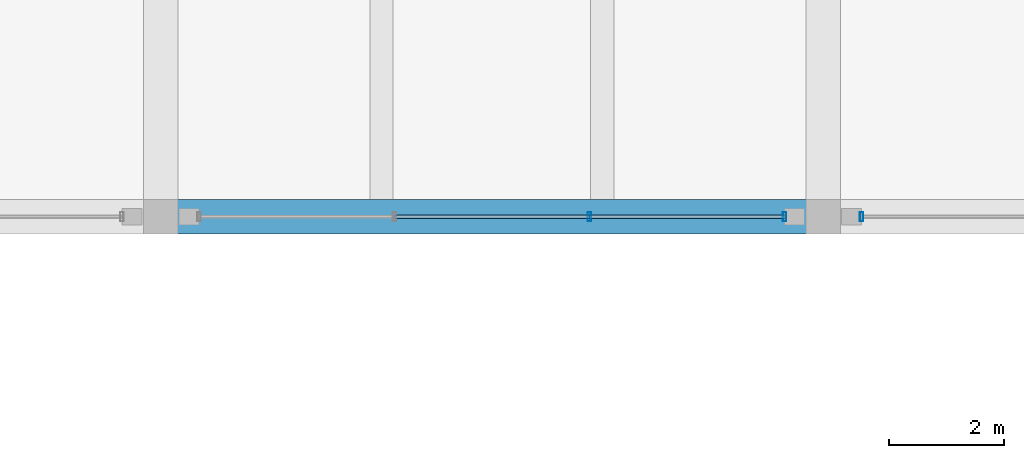
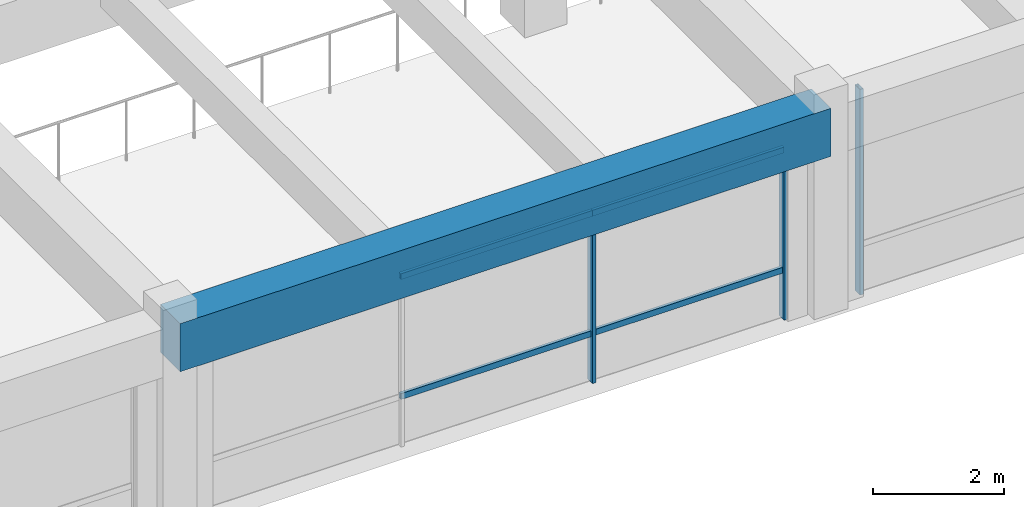
# One storey, part 11 of 98: 7 members, 1 beam, 2 elements without a shape of their own.
"""IFC4 building model written with IfcOpenShell, lengths in metres."""

import ifcopenshell
import ifcopenshell.guid

model = None  # the IFC model being written
_history = None  # IfcOwnerHistory: only IFC2X3 demands one
_inside = {}  # id of a spatial element -> (the spatial element, [elements in it])
_under = {}  # id of a project, library or spatial element -> (it, [spatial elements below it])
_declared = {}  # id of a project -> (the project, [libraries it declares])
_typed = {}  # id of a type object -> (the type object, [elements of that type])
_made_of = {}  # id of a material, layer set ... -> (it, [elements and type objects made of it])


def new_model(schema):
    """Start an empty IFC model of exactly this schema.

    Asked for "IFC4X3", IfcOpenShell would pick the latest addendum, in which some entities
    have other attributes; the version numbers below select the first issue.
    IFC2X3 requires an IfcOwnerHistory on every rooted entity: one is made here for all.
    """
    global model, _history
    if schema == "IFC4X3":
        model = ifcopenshell.file(schema_version=(4, 3, 0, 0))
    else:
        model = ifcopenshell.file(schema=schema)
    _inside.clear()
    _under.clear()
    _declared.clear()
    _typed.clear()
    _made_of.clear()
    _history = None
    if model.schema == "IFC2X3":
        org = make("IfcOrganization", Name="unknown")
        user = make(
            "IfcPersonAndOrganization",
            ThePerson=make("IfcPerson", FamilyName="unknown"),
            TheOrganization=org,
        )
        app = make(
            "IfcApplication",
            ApplicationDeveloper=org,
            Version="unknown",
            ApplicationFullName="unknown",
            ApplicationIdentifier="unknown",
        )
        _history = make(
            "IfcOwnerHistory",
            OwningUser=user,
            OwningApplication=app,
            ChangeAction="ADDED",
            CreationDate=0,
        )
    return model


def make(cls, **values):
    """One entity of the class cls with the attributes given. An attribute that is None is left unset."""
    return model.create_entity(
        cls, **{name: value for name, value in values.items() if value is not None}
    )


def rooted(cls, **values):
    """An entity with a GlobalId (a new one), such as an element, a storey or a relation."""
    return make(cls, GlobalId=ifcopenshell.guid.new(), OwnerHistory=_history, **values)


def si_unit(unit_type, name, prefix=None):
    """IfcSIUnit, for example si_unit("LENGTHUNIT", "METRE", prefix="MILLI")."""
    return make("IfcSIUnit", UnitType=unit_type, Prefix=prefix, Name=name)


def assignment(units):
    """IfcUnitAssignment: the units of a project."""
    return None if units is None else make("IfcUnitAssignment", Units=units)


def point(xyz):
    """IfcCartesianPoint."""
    return None if xyz is None else make("IfcCartesianPoint", Coordinates=xyz)


def direction(xyz):
    """IfcDirection."""
    return None if xyz is None else make("IfcDirection", DirectionRatios=xyz)


def frame(location, z_axis=None, x_axis=None):
    """IfcAxis2Placement3D, a coordinate frame: its origin and axes. An axis left out is left unset."""
    return make(
        "IfcAxis2Placement3D",
        Location=point(location),
        Axis=direction(z_axis),
        RefDirection=direction(x_axis),
    )


def frame_2d(location, x_axis=None):
    """IfcAxis2Placement2D, a coordinate frame in the plane: its origin and x axis."""
    return make(
        "IfcAxis2Placement2D", Location=point(location), RefDirection=direction(x_axis)
    )


def origin():
    """The frame at (0, 0, 0) with its axes left unset."""
    return frame((0.0, 0.0, 0.0))


def origin_2d():
    """The frame at (0, 0) in the plane with its x axis left unset."""
    return frame_2d((0.0, 0.0))


def place(relative_to, where):
    """IfcLocalPlacement: puts the frame where relative to a parent placement (None: the world)."""
    return make(
        "IfcLocalPlacement", PlacementRelTo=relative_to, RelativePlacement=where
    )


def context(
    kind, dimensions, precision=None, world=None, true_north=None, identifier=None
):
    """IfcGeometricRepresentationContext, for example the 3D "Model" context."""
    return make(
        "IfcGeometricRepresentationContext",
        ContextIdentifier=identifier,
        ContextType=kind,
        CoordinateSpaceDimension=dimensions,
        Precision=precision,
        WorldCoordinateSystem=world,
        TrueNorth=true_north,
    )


def subcontext(parent, identifier, kind, view, scale=None):
    """IfcGeometricRepresentationSubContext, for example "Body" below "Model"."""
    return make(
        "IfcGeometricRepresentationSubContext",
        ContextIdentifier=identifier,
        ContextType=kind,
        ParentContext=parent,
        TargetScale=scale,
        TargetView=view,
    )


def project(units=None, contexts=None):
    """IfcProject with its units and contexts."""
    return rooted(
        "IfcProject",
        Name="project",
        RepresentationContexts=contexts,
        UnitsInContext=assignment(units),
    )


def spatial(cls, under=None, at=None, **own):
    """A site, building, storey or space (cls), placed at a placement, below another one or the project."""
    s = rooted(cls, ObjectPlacement=at, **own)
    if under is not None:
        _under.setdefault(under.id(), (under, []))[1].append(s)
    return s


def profile(cls, at=None, kind="AREA", **sizes):
    """A parametric profile (cls). Its sizes go by their IFC names, for example OverallWidth=200.0."""
    return make(cls, ProfileType=kind, Position=at, **sizes)


def rectangle(**sizes):
    """IfcRectangleProfileDef."""
    return profile("IfcRectangleProfileDef", **sizes)


def hollow_rectangle(**sizes):
    """IfcRectangleHollowProfileDef."""
    return profile("IfcRectangleHollowProfileDef", **sizes)


def extrude(swept, where, along, depth):
    """IfcExtrudedAreaSolid: the profile swept, set in the frame where, extruded along a direction by depth."""
    return make(
        "IfcExtrudedAreaSolid",
        SweptArea=swept,
        Position=where,
        ExtrudedDirection=direction(along),
        Depth=depth,
    )


def shape(context_of_items, identifier, shape_type, items):
    """IfcShapeRepresentation: the items that make up one representation, for example the "Body"."""
    return make(
        "IfcShapeRepresentation",
        ContextOfItems=context_of_items,
        RepresentationIdentifier=identifier,
        RepresentationType=shape_type,
        Items=items,
    )


def material(Name=None, Category=None):
    """IfcMaterial."""
    return make("IfcMaterial", Name=Name, Category=Category)


def material_profile(
    of_material, cross_section, Name=None, Category=None, Priority=None
):
    """IfcMaterialProfile: a cross section and its material."""
    return make(
        "IfcMaterialProfile",
        Name=Name,
        Material=of_material,
        Profile=cross_section,
        Priority=Priority,
        Category=Category,
    )


def profile_set(profiles, Name=None, composite=None):
    """IfcMaterialProfileSet."""
    return make(
        "IfcMaterialProfileSet",
        Name=Name,
        MaterialProfiles=profiles,
        CompositeProfile=composite,
    )


def made_of(thing, what):
    """Note that an element or type object is made of a material, layer set ...; save() writes the relation."""
    if what is not None:
        _made_of.setdefault(what.id(), (what, []))[1].append(thing)
    return thing


def type_object(cls, material=None, **own):
    """A type object (cls), such as IfcWallType, which elements share."""
    return made_of(rooted(cls, **own), material)


def element(
    cls,
    number,
    at=None,
    inside=None,
    cuts=None,
    type_object=None,
    material=None,
    context=None,
    identifier="Body",
    shape_type=None,
    held_by="IfcProductDefinitionShape",
    body=None,
    shapes=None,
    **own,
):
    """One element of the class cls, such as IfcWall. Its Tag is "e" and its number.

    at: its placement. inside: the storey or other place that contains it. cuts: it is an
    opening in that element (IfcRelVoidsElement). A single representation is given by context,
    identifier, shape_type and body (its items); several are given by shapes. held_by: the class
    of the entity that holds the representations. save() writes the other relations.
    """
    e = rooted(cls, Tag="e%d" % number, ObjectPlacement=at, **own)
    if body is not None:
        shapes = [shape(context, identifier, shape_type, body)]
    if shapes is not None:
        e.Representation = make(held_by, Representations=shapes)
    if inside is not None:
        _inside.setdefault(inside.id(), (inside, []))[1].append(e)
    if cuts is not None:
        rooted(
            "IfcRelVoidsElement", RelatingBuildingElement=cuts, RelatedOpeningElement=e
        )
    if type_object is not None:
        _typed.setdefault(type_object.id(), (type_object, []))[1].append(e)
    return made_of(e, material)


def aggregate(whole, parts):
    """IfcRelAggregates: a whole, such as a stair, and the parts it consists of."""
    return rooted("IfcRelAggregates", RelatingObject=whole, RelatedObjects=parts)


def save(model, path):
    """Write the relations noted so far, then the file.

    IfcRelAggregates (storeys below a building ...), IfcRelContainedInSpatialStructure (elements
    in a storey), IfcRelDefinesByType, IfcRelAssociatesMaterial and IfcRelDeclares: one each for
    every whole, place, type object, material and project.
    """
    for whole, parts in _under.values():
        aggregate(whole, parts)
    for where, things in _inside.values():
        rooted(
            "IfcRelContainedInSpatialStructure",
            RelatedElements=things,
            RelatingStructure=where,
        )
    for kind, things in _typed.values():
        rooted("IfcRelDefinesByType", RelatedObjects=things, RelatingType=kind)
    for what, things in _made_of.values():
        rooted("IfcRelAssociatesMaterial", RelatedObjects=things, RelatingMaterial=what)
    for by, libraries in _declared.values():
        rooted("IfcRelDeclares", RelatingContext=by, RelatedDefinitions=libraries)
    model.write(path)


model = new_model("IFC4")

# Units and contexts
model_context = context("Model", 3, precision=1e-05, world=origin(), true_north=direction((0.0, 1.0)))
body_context = subcontext(model_context, "Body", "Model", "MODEL_VIEW")
ifc_project = project(units=[si_unit("LENGTHUNIT", "METRE"), si_unit("AREAUNIT", "SQUARE_METRE"), si_unit("VOLUMEUNIT", "CUBIC_METRE"), si_unit("PLANEANGLEUNIT", "RADIAN"), si_unit("MASSUNIT", "GRAM", prefix="KILO")], contexts=[model_context])

# Site, building, storey
site_placement = place(None, origin())
site = spatial("IfcSite", under=ifc_project, at=site_placement, CompositionType="ELEMENT")
building_placement = place(site_placement, origin())
building = spatial("IfcBuilding", under=site, at=building_placement, Name="Ologun Quay Terminus", CompositionType="ELEMENT")
storey_placement = place(building_placement, frame((0.0, 0.0, 4.199951171875)))
storey = spatial("IfcBuildingStorey", under=building, at=storey_placement, Name="L01", CompositionType="ELEMENT", Elevation=4.199951171875)

# Curtain wall, members
ifc_material_1 = material(Name="Aluminium 6063-T6", Category="aluminium")
curtain_wall_type = type_object("IfcCurtainWallType", Name="Forecourt Mezzanine Curtain Wall 10700x3850", PredefinedType="USERDEFINED", material=ifc_material_1)
curtain_wall_1_placement = place(storey_placement, origin())
curtain_wall_1 = element("IfcCurtainWall", 1, at=curtain_wall_1_placement, inside=storey, type_object=curtain_wall_type, Name="CW-04 Curtain Wall CW-L01-012", ObjectType="UNITISED CURTAIN WALL", PredefinedType="USERDEFINED")
ifc_material_2 = material(Name="Aluminium 6063-T6", Category="aluminium")
ifc_material_profile_1 = material_profile(ifc_material_2, hollow_rectangle(XDim=0.06005859375, YDim=0.159912109375, WallThickness=0.00390625, at=origin_2d()), Name="ALU 160x60x4")
ifc_profile_set_1 = profile_set([ifc_material_profile_1], Name="Aluminium 6063-T6")
member_type_1 = type_object("IfcMemberType", Name="Curtain Wall Standard Mullion 160x65", PredefinedType="MULLION", material=ifc_profile_set_1)
member_1_placement = place(storey_placement, frame((41.943359375, 27.199951171875, 0.0), z_axis=(0.0, 0.0, 1.0), x_axis=(1.0, 0.0, 0.0)))
member_1 = element("IfcMember", 2, at=member_1_placement, type_object=member_type_1, Name="CW-L01-012 Mullion 3", PredefinedType="MULLION", context=body_context, shape_type="SweptSolid", body=[
    extrude(hollow_rectangle(XDim=0.06005859375, YDim=0.159912109375, WallThickness=0.00390625, at=origin_2d()), origin(), (0.0, 0.0, 1.0), 3.840087890625),
])
member_2_placement = place(storey_placement, frame((45.330078125, 27.199951171875, 0.0), z_axis=(0.0, 0.0, 1.0), x_axis=(1.0, 0.0, 0.0)))
member_2 = element("IfcMember", 3, at=member_2_placement, type_object=member_type_1, Name="CW-L01-012 Mullion 4", PredefinedType="MULLION", context=body_context, shape_type="SweptSolid", body=[
    extrude(hollow_rectangle(XDim=0.06005859375, YDim=0.159912109375, WallThickness=0.00390625, at=origin_2d()), origin(), (0.0, 0.0, 1.0), 3.840087890625),
])

# Curtain wall, member
curtain_wall_2_placement = place(storey_placement, origin())
curtain_wall_2 = element("IfcCurtainWall", 4, at=curtain_wall_2_placement, inside=storey, type_object=curtain_wall_type, Name="CW-04 Curtain Wall CW-L01-013", ObjectType="UNITISED CURTAIN WALL", PredefinedType="USERDEFINED")
member_3_placement = place(storey_placement, frame((46.669921875, 27.199951171875, 0.0), z_axis=(0.0, 0.0, 1.0), x_axis=(1.0, 0.0, 0.0)))
member_3 = element("IfcMember", 5, at=member_3_placement, type_object=member_type_1, Name="CW-L01-013 Mullion 1", PredefinedType="MULLION", context=body_context, shape_type="SweptSolid", body=[
    extrude(hollow_rectangle(XDim=0.06005859375, YDim=0.159912109375, WallThickness=0.00390625, at=origin_2d()), origin(), (0.0, 0.0, 1.0), 3.840087890625),
])
aggregate(curtain_wall_2, [member_3])

# Member
ifc_material_3 = material(Name="Aluminium 6063-T6", Category="aluminium")
ifc_material_profile_2 = material_profile(ifc_material_3, hollow_rectangle(XDim=0.054931640625, YDim=0.110107421875, WallThickness=0.00390625, at=origin_2d()), Name="ALU 110x55x4")
ifc_profile_set_2 = profile_set([ifc_material_profile_2], Name="Aluminium 6063-T6")
member_type_2 = type_object("IfcMemberType", Name="Curtain Wall Standard Transom 110x55", PredefinedType="USERDEFINED", material=ifc_profile_set_2)
member_4_placement = place(storey_placement, frame((38.556640625, 27.199951171875, 0.900146484375), z_axis=(1.0, 0.0, 0.0), x_axis=(0.0, 1.0, 0.0)))
member_4 = element("IfcMember", 6, at=member_4_placement, type_object=member_type_2, Name="CW-L01-012 Transom B2-1", ObjectType="TRANSOM", PredefinedType="USERDEFINED", context=body_context, shape_type="SweptSolid", body=[
    extrude(hollow_rectangle(XDim=0.054931640625, YDim=0.110107421875, WallThickness=0.00390625, at=origin_2d()), origin(), (0.0, 0.0, 1.0), 3.38671875),
])

member_5_placement = place(storey_placement, frame((38.556640625, 27.199951171875, 3.14013671875), z_axis=(1.0, 0.0, 0.0), x_axis=(0.0, 1.0, 0.0)))
member_5 = element("IfcMember", 7, at=member_5_placement, type_object=member_type_2, Name="CW-L01-012 Transom B2-2", ObjectType="TRANSOM", PredefinedType="USERDEFINED", context=body_context, shape_type="SweptSolid", body=[
    extrude(hollow_rectangle(XDim=0.054931640625, YDim=0.110107421875, WallThickness=0.00390625, at=origin_2d()), origin(), (0.0, 0.0, 1.0), 3.38671875),
])

member_6_placement = place(storey_placement, frame((41.943359375, 27.199951171875, 0.900146484375), z_axis=(1.0, 0.0, 0.0), x_axis=(0.0, 1.0, 0.0)))
member_6 = element("IfcMember", 8, at=member_6_placement, type_object=member_type_2, Name="CW-L01-012 Transom B3-1", ObjectType="TRANSOM", PredefinedType="USERDEFINED", context=body_context, shape_type="SweptSolid", body=[
    extrude(hollow_rectangle(XDim=0.054931640625, YDim=0.110107421875, WallThickness=0.00390625, at=origin_2d()), origin(), (0.0, 0.0, 1.0), 3.38671875),
])

member_7_placement = place(storey_placement, frame((41.943359375, 27.199951171875, 3.14013671875), z_axis=(1.0, 0.0, 0.0), x_axis=(0.0, 1.0, 0.0)))
member_7 = element("IfcMember", 9, at=member_7_placement, type_object=member_type_2, Name="CW-L01-012 Transom B3-2", ObjectType="TRANSOM", PredefinedType="USERDEFINED", context=body_context, shape_type="SweptSolid", body=[
    extrude(hollow_rectangle(XDim=0.054931640625, YDim=0.110107421875, WallThickness=0.00390625, at=origin_2d()), origin(), (0.0, 0.0, 1.0), 3.38671875),
])

aggregate(curtain_wall_1, [member_1, member_2, member_4, member_5, member_6, member_7])

# Beam
ifc_material_4 = material(Name="Concrete C40/50", Category="concrete")
ifc_material_profile_3 = material_profile(ifc_material_4, rectangle(XDim=0.60009765625, YDim=0.89990234375, at=origin_2d()), Name="RC 600x900")
ifc_profile_set_3 = profile_set([ifc_material_profile_3], Name="Concrete C40/50")
beam_type = type_object("IfcBeamType", Name="Station Frame Girder 600x900", PredefinedType="BEAM", material=ifc_profile_set_3)
beam_placement = place(storey_placement, frame((34.5, 27.199951171875, 3.400146484375), z_axis=(1.0, 0.0, 0.0), x_axis=(0.0, 1.0, 0.0)))
element("IfcBeam", 10, at=beam_placement, inside=storey, type_object=beam_type, Name="B3 Beam 4/D L01", PredefinedType="BEAM", context=body_context, shape_type="SweptSolid", body=[
    extrude(rectangle(XDim=0.60009765625, YDim=0.89990234375, at=origin_2d()), origin(), (0.0, 0.0, 1.0), 11.5),
])

save(model, "model.ifc")
